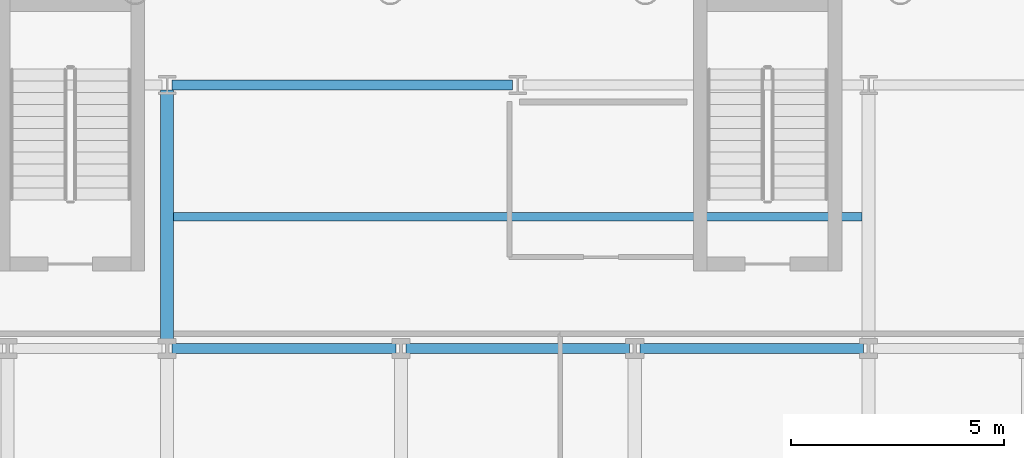
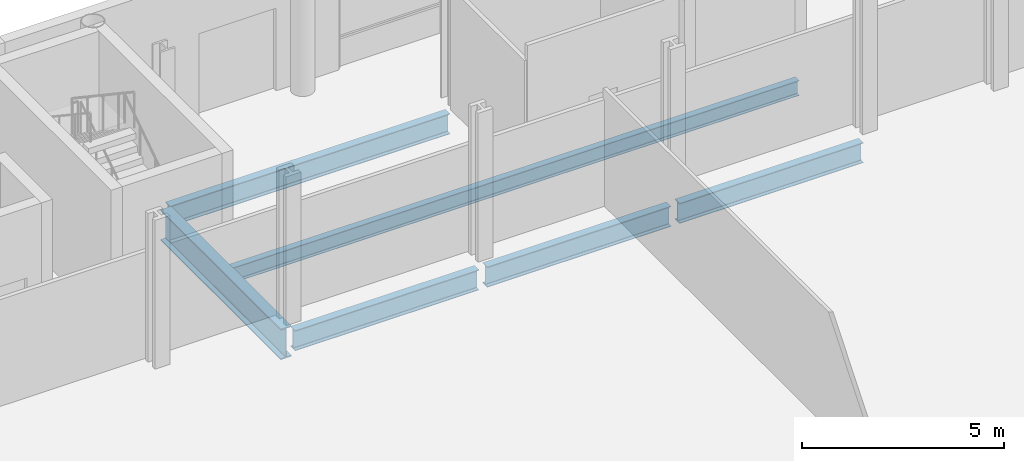
# One storey, part 7 of 28: 6 beams.
"""IFC4 building model written with IfcOpenShell, lengths in metres."""

from ifc_helpers import new_model, si_unit, direction, frame, origin, origin_2d, place, context, subcontext, project, spatial, i_section, extrude, material, material_profile, profile_set, type_object, element, save


model = new_model("IFC4")

# Units and contexts
model_context = context("Model", 3, precision=1e-05, world=origin(), true_north=direction((0.0, 1.0)))
body_context = subcontext(model_context, "Body", "Model", "MODEL_VIEW")
ifc_project = project(units=[si_unit("LENGTHUNIT", "METRE"), si_unit("AREAUNIT", "SQUARE_METRE"), si_unit("VOLUMEUNIT", "CUBIC_METRE"), si_unit("PLANEANGLEUNIT", "RADIAN"), si_unit("MASSUNIT", "GRAM", prefix="KILO")], contexts=[model_context])

# Site, building, storey
site_placement = place(None, origin())
site = spatial("IfcSite", under=ifc_project, at=site_placement, CompositionType="ELEMENT")
building_placement = place(site_placement, origin())
building = spatial("IfcBuilding", under=site, at=building_placement, Name="Brevholm Reach", CompositionType="ELEMENT")
storey_placement = place(building_placement, origin())
storey = spatial("IfcBuildingStorey", under=building, at=storey_placement, Name="L00", CompositionType="ELEMENT", Elevation=0.0)

# Beams
ifc_material_1 = material(Name="Structural Steel S355J2", Category="steel")
ifc_material_profile_1 = material_profile(ifc_material_1, i_section(OverallWidth=0.1904296875, OverallDepth=0.45703125, WebThickness=0.009033203125, FlangeThickness=0.014404296875, FilletRadius=0.01025390625, at=origin_2d()), Name="UKB 457x191x74")
ifc_profile_set_1 = profile_set([ifc_material_profile_1], Name="Structural Steel S355J2")
beam_type_1 = type_object("IfcBeamType", Name="BM-B457", PredefinedType="BEAM", material=ifc_profile_set_1)
beam_1_placement = place(storey_placement, frame((21.90380859375, 34.10009765625, -0.568603515625), z_axis=(1.0, 0.0, 0.0), x_axis=(0.0, 1.0, 0.0)))
element("IfcBeam", 1, at=beam_1_placement, inside=storey, type_object=beam_type_1, Name="L00 Composite Secondary Floor Beam", PredefinedType="BEAM", context=body_context, shape_type="SweptSolid", body=[
    extrude(i_section(OverallWidth=0.1904296875, OverallDepth=0.45703125, WebThickness=0.009033203125, FlangeThickness=0.014404296875, FilletRadius=0.01025390625, at=origin_2d()), origin(), (0.0, 0.0, 1.0), 16.1923828125),
])
ifc_material_2 = material(Name="Structural Steel S355J2", Category="steel")
ifc_material_profile_2 = material_profile(ifc_material_2, i_section(OverallWidth=0.22900390625, OverallDepth=0.6123046875, WebThickness=0.011962890625, FlangeThickness=0.01953125, FilletRadius=0.0126953125, at=origin_2d()), Name="UKB 610x229x125")
ifc_profile_set_2 = profile_set([ifc_material_profile_2], Name="Structural Steel S355J2")
beam_type_2 = type_object("IfcBeamType", Name="BM-SP610", PredefinedType="SPANDREL", material=ifc_profile_set_2)
for number, where, z_axis, x_axis, name in (
    (2, (21.8701171875, 31.0, -0.64599609375), (1.0, 0.0, 0.0), (0.0, 1.0, 0.0), "L00 SP-01 Framing Beam"),
    (3, (27.3701171875, 31.0, -0.64599609375), (1.0, 0.0, 0.0), (0.0, 1.0, 0.0), "L00 SP-01 Framing Beam"),
    (4, (32.8701171875, 31.0, -0.64599609375), (1.0, 0.0, 0.0), (0.0, 1.0, 0.0), "L00 SP-01 Framing Beam"),
):
    element("IfcBeam", number, at=place(storey_placement, frame(where, z_axis=z_axis, x_axis=x_axis)), inside=storey, type_object=beam_type_2, Name=name, PredefinedType="SPANDREL", context=body_context, shape_type="SweptSolid", body=[
        extrude(i_section(OverallWidth=0.22900390625, OverallDepth=0.6123046875, WebThickness=0.011962890625, FlangeThickness=0.01953125, FilletRadius=0.0126953125, at=origin_2d()), origin(), (0.0, 0.0, 1.0), 5.259765625),
    ])
beam_2_placement = place(storey_placement, frame((21.8701171875, 37.199951171875, -0.64599609375), z_axis=(1.0, 0.0, 0.0), x_axis=(0.0, 1.0, 0.0)))
element("IfcBeam", 5, at=beam_2_placement, inside=storey, type_object=beam_type_2, Name="L00 SP-01 Framing Beam", PredefinedType="SPANDREL", context=body_context, shape_type="SweptSolid", body=[
    extrude(i_section(OverallWidth=0.22900390625, OverallDepth=0.6123046875, WebThickness=0.011962890625, FlangeThickness=0.01953125, FilletRadius=0.0126953125, at=origin_2d()), origin(), (0.0, 0.0, 1.0), 8.009765625),
])
ifc_material_3 = material(Name="Structural Steel S460ML", Category="steel")
ifc_material_profile_3 = material_profile(ifc_material_3, i_section(OverallWidth=0.3076171875, OverallDepth=0.926513671875, WebThickness=0.01953125, FlangeThickness=0.031982421875, FilletRadius=0.01904296875, at=origin_2d()), Name="UKB 914x305x289")
ifc_profile_set_3 = profile_set([ifc_material_profile_3], Name="Structural Steel S460ML")
beam_type_3 = type_object("IfcBeamType", Name="BM-UKB914B", PredefinedType="USERDEFINED", material=ifc_profile_set_3)
beam_3_placement = place(storey_placement, frame((21.75, 31.1201171875, -0.80322265625), z_axis=(0.0, 1.0, 0.0), x_axis=(-1.0, 0.0, 0.0)))
element("IfcBeam", 6, at=beam_3_placement, inside=storey, type_object=beam_type_3, Name="L00 G-02B Framing Beam", ObjectType="GIRDER", PredefinedType="USERDEFINED", context=body_context, shape_type="SweptSolid", body=[
    extrude(i_section(OverallWidth=0.3076171875, OverallDepth=0.926513671875, WebThickness=0.01953125, FlangeThickness=0.031982421875, FilletRadius=0.01904296875, at=origin_2d()), origin(), (0.0, 0.0, 1.0), 5.9599609375),
])

save(model, "model.ifc")
